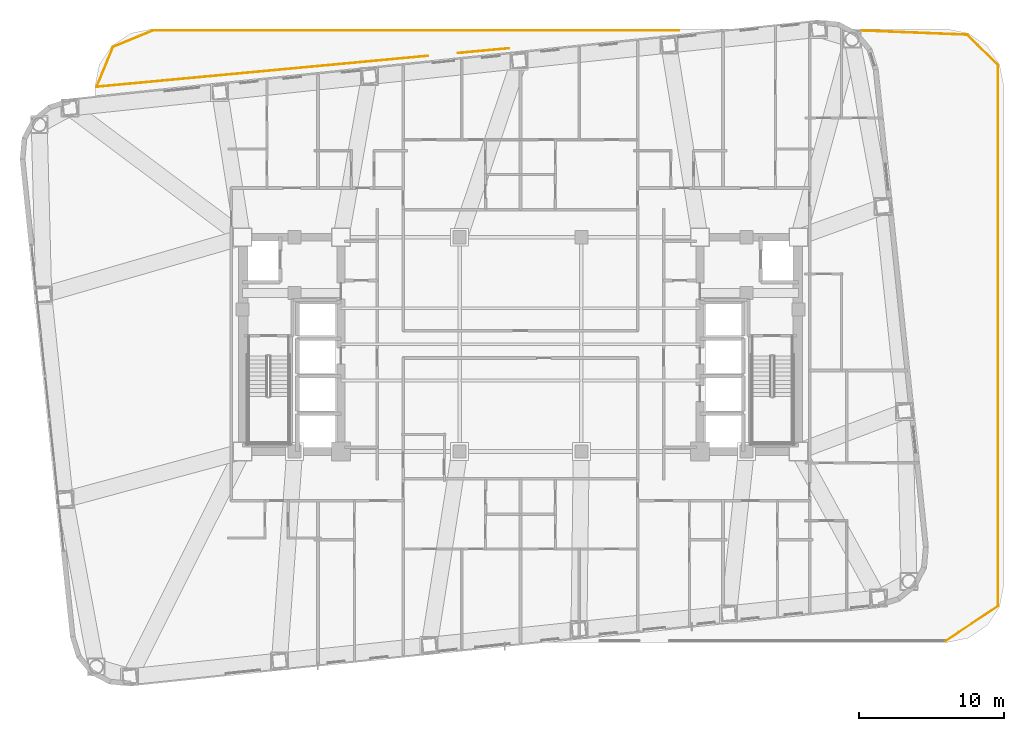
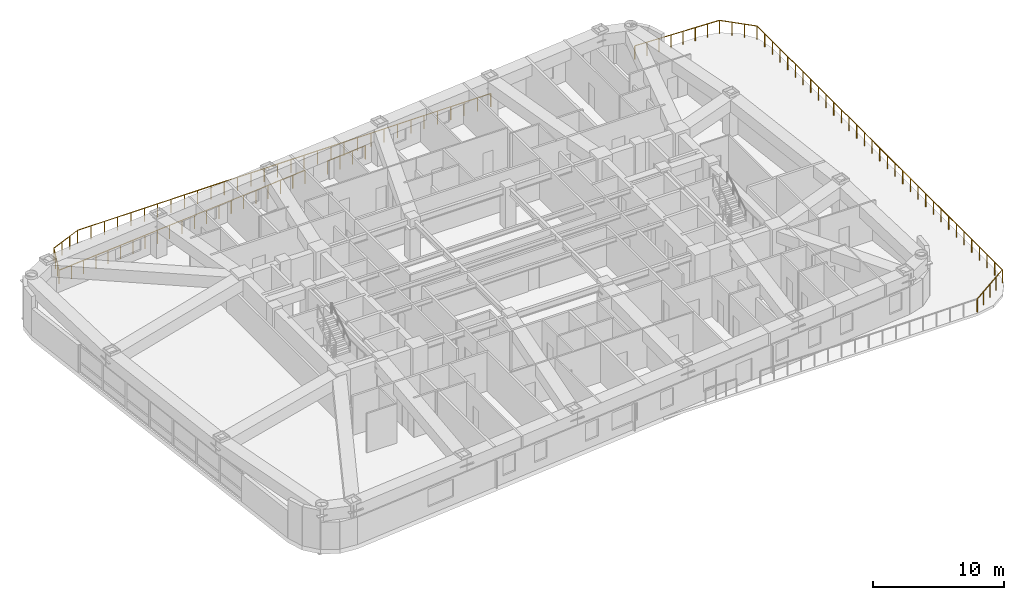
# One storey, part 15 of 15: 9 railings.
"""IFC4 building model written with IfcOpenShell, lengths in metres."""

from ifc_helpers import new_model, si_unit, direction, frame, origin, origin_2d, place, context, subcontext, project, spatial, circle, extrude, material, type_object, element, save


model = new_model("IFC4")

# Units and contexts
model_context = context("Model", 3, precision=1e-05, world=origin(), true_north=direction((0.0, 1.0)))
body_context = subcontext(model_context, "Body", "Model", "MODEL_VIEW")
ifc_project = project(units=[si_unit("LENGTHUNIT", "METRE"), si_unit("AREAUNIT", "SQUARE_METRE"), si_unit("VOLUMEUNIT", "CUBIC_METRE"), si_unit("PLANEANGLEUNIT", "RADIAN"), si_unit("MASSUNIT", "GRAM", prefix="KILO")], contexts=[model_context])

# Site, building, storey
site_placement = place(None, origin())
site = spatial("IfcSite", under=ifc_project, at=site_placement, CompositionType="ELEMENT")
building_placement = place(site_placement, origin())
building = spatial("IfcBuilding", under=site, at=building_placement, Name="Voryun Gate Residences", CompositionType="ELEMENT")
storey_placement = place(building_placement, frame((0.0, 0.0, 140.39990234375)))
storey = spatial("IfcBuildingStorey", under=building, at=storey_placement, Name="L34", CompositionType="ELEMENT", Elevation=140.39990234375)

# Railings
ifc_material = material(Name="Anodised aluminium", Category="aluminium")
railing_type = type_object("IfcRailingType", Name="RAIL_TERRACE_GUARD_1250", PredefinedType="GUARDRAIL", material=ifc_material)
railing_1_placement = place(storey_placement, frame((23.601806640625, 21.67138671875, 0.0)))
element("IfcRailing", 1, at=railing_1_placement, inside=storey, type_object=railing_type, Name="Terrace guard RL-L34-P1L1-01", PredefinedType="GUARDRAIL", context=body_context, shape_type="SweptSolid", body=[
    extrude(circle(Radius=0.02392578125, at=origin_2d()), frame((0.0, 0.0, 1.22607421875), z_axis=(0.9992143876, -0.039630892162, 0.0), x_axis=(0.039630892162, 0.9992143876, 0.0)), (0.0, 0.0, 1.0), 7.28759765625),
    extrude(circle(Radius=0.02099609375, at=origin_2d()), origin(), (0.0, 0.0, 1.0), 1.201904296875),
    extrude(circle(Radius=0.02099609375, at=origin_2d()), frame((1.040283203125, -0.041259765625, 0.0)), (0.0, 0.0, 1.0), 1.201904296875),
    extrude(circle(Radius=0.02099609375, at=origin_2d()), frame((2.08056640625, -0.08251953125, 0.0)), (0.0, 0.0, 1.0), 1.201904296875),
    extrude(circle(Radius=0.02099609375, at=origin_2d()), frame((3.120849609375, -0.123779296875, 0.0)), (0.0, 0.0, 1.0), 1.201904296875),
    extrude(circle(Radius=0.02099609375, at=origin_2d()), frame((4.1611328125, -0.1650390625, 0.0)), (0.0, 0.0, 1.0), 1.201904296875),
    extrude(circle(Radius=0.02099609375, at=origin_2d()), frame((5.201416015625, -0.206298828125, 0.0)), (0.0, 0.0, 1.0), 1.201904296875),
    extrude(circle(Radius=0.02099609375, at=origin_2d()), frame((6.24169921875, -0.24755859375, 0.0)), (0.0, 0.0, 1.0), 1.201904296875),
    extrude(circle(Radius=0.02099609375, at=origin_2d()), frame((7.281982421875, -0.288818359375, 0.0)), (0.0, 0.0, 1.0), 1.201904296875),
])
railing_2_placement = place(storey_placement, frame((30.8837890625, 21.382568359375, 0.0)))
element("IfcRailing", 2, at=railing_2_placement, inside=storey, type_object=railing_type, Name="Terrace guard RL-L34-P1L1-02", PredefinedType="GUARDRAIL", context=body_context, shape_type="SweptSolid", body=[
    extrude(circle(Radius=0.02392578125, at=origin_2d()), frame((0.0, 0.0, 1.22607421875), z_axis=(0.707106781187, -0.707106781187, 0.0), x_axis=(0.707106781187, 0.707106781187, 0.0)), (0.0, 0.0, 1.0), 2.968017578125),
    extrude(circle(Radius=0.02099609375, at=origin_2d()), origin(), (0.0, 0.0, 1.0), 1.201904296875),
    extrude(circle(Radius=0.02099609375, at=origin_2d()), frame((0.699462890625, -0.699462890625, 0.0)), (0.0, 0.0, 1.0), 1.201904296875),
    extrude(circle(Radius=0.02099609375, at=origin_2d()), frame((1.399169921875, -1.399169921875, 0.0)), (0.0, 0.0, 1.0), 1.201904296875),
    extrude(circle(Radius=0.02099609375, at=origin_2d()), frame((2.0986328125, -2.0986328125, 0.0)), (0.0, 0.0, 1.0), 1.201904296875),
])
railing_3_placement = place(storey_placement, frame((32.982421875, 19.283935546875, 0.0)))
element("IfcRailing", 3, at=railing_3_placement, inside=storey, type_object=railing_type, Name="Terrace guard RL-L34-P1L1-03", PredefinedType="GUARDRAIL", context=body_context, shape_type="SweptSolid", body=[
    extrude(circle(Radius=0.02392578125, at=origin_2d()), frame((0.0, 0.0, 1.22607421875), z_axis=(0.0, -1.0, 0.0), x_axis=(1.0, 0.0, 0.0)), (0.0, 0.0, 1.0), 37.367919921875),
    extrude(circle(Radius=0.02099609375, at=origin_2d()), origin(), (0.0, 0.0, 1.0), 1.201904296875),
    extrude(circle(Radius=0.02099609375, at=origin_2d()), frame((0.0, -1.167724609375, 0.0)), (0.0, 0.0, 1.0), 1.201904296875),
    extrude(circle(Radius=0.02099609375, at=origin_2d()), frame((0.0, -2.33544921875, 0.0)), (0.0, 0.0, 1.0), 1.201904296875),
    extrude(circle(Radius=0.02099609375, at=origin_2d()), frame((0.0, -3.503173828125, 0.0)), (0.0, 0.0, 1.0), 1.201904296875),
    extrude(circle(Radius=0.02099609375, at=origin_2d()), frame((0.0, -4.6708984375, 0.0)), (0.0, 0.0, 1.0), 1.201904296875),
    extrude(circle(Radius=0.02099609375, at=origin_2d()), frame((0.0, -5.838623046875, 0.0)), (0.0, 0.0, 1.0), 1.201904296875),
    extrude(circle(Radius=0.02099609375, at=origin_2d()), frame((0.0, -7.006591796875, 0.0)), (0.0, 0.0, 1.0), 1.201904296875),
    extrude(circle(Radius=0.02099609375, at=origin_2d()), frame((0.0, -8.17431640625, 0.0)), (0.0, 0.0, 1.0), 1.201904296875),
    extrude(circle(Radius=0.02099609375, at=origin_2d()), frame((0.0, -9.342041015625, 0.0)), (0.0, 0.0, 1.0), 1.201904296875),
    extrude(circle(Radius=0.02099609375, at=origin_2d()), frame((0.0, -10.509765625, 0.0)), (0.0, 0.0, 1.0), 1.201904296875),
    extrude(circle(Radius=0.02099609375, at=origin_2d()), frame((0.0, -11.677490234375, 0.0)), (0.0, 0.0, 1.0), 1.201904296875),
    extrude(circle(Radius=0.02099609375, at=origin_2d()), frame((0.0, -12.84521484375, 0.0)), (0.0, 0.0, 1.0), 1.201904296875),
    extrude(circle(Radius=0.02099609375, at=origin_2d()), frame((0.0, -14.012939453125, 0.0)), (0.0, 0.0, 1.0), 1.201904296875),
    extrude(circle(Radius=0.02099609375, at=origin_2d()), frame((0.0, -15.1806640625, 0.0)), (0.0, 0.0, 1.0), 1.201904296875),
    extrude(circle(Radius=0.02099609375, at=origin_2d()), frame((0.0, -16.348388671875, 0.0)), (0.0, 0.0, 1.0), 1.201904296875),
    extrude(circle(Radius=0.02099609375, at=origin_2d()), frame((0.0, -17.51611328125, 0.0)), (0.0, 0.0, 1.0), 1.201904296875),
    extrude(circle(Radius=0.02099609375, at=origin_2d()), frame((0.0, -18.68408203125, 0.0)), (0.0, 0.0, 1.0), 1.201904296875),
    extrude(circle(Radius=0.02099609375, at=origin_2d()), frame((0.0, -19.851806640625, 0.0)), (0.0, 0.0, 1.0), 1.201904296875),
    extrude(circle(Radius=0.02099609375, at=origin_2d()), frame((0.0, -21.01953125, 0.0)), (0.0, 0.0, 1.0), 1.201904296875),
    extrude(circle(Radius=0.02099609375, at=origin_2d()), frame((0.0, -22.187255859375, 0.0)), (0.0, 0.0, 1.0), 1.201904296875),
    extrude(circle(Radius=0.02099609375, at=origin_2d()), frame((0.0, -23.35498046875, 0.0)), (0.0, 0.0, 1.0), 1.201904296875),
    extrude(circle(Radius=0.02099609375, at=origin_2d()), frame((0.0, -24.522705078125, 0.0)), (0.0, 0.0, 1.0), 1.201904296875),
    extrude(circle(Radius=0.02099609375, at=origin_2d()), frame((0.0, -25.6904296875, 0.0)), (0.0, 0.0, 1.0), 1.201904296875),
    extrude(circle(Radius=0.02099609375, at=origin_2d()), frame((0.0, -26.858154296875, 0.0)), (0.0, 0.0, 1.0), 1.201904296875),
    extrude(circle(Radius=0.02099609375, at=origin_2d()), frame((0.0, -28.02587890625, 0.0)), (0.0, 0.0, 1.0), 1.201904296875),
    extrude(circle(Radius=0.02099609375, at=origin_2d()), frame((0.0, -29.193603515625, 0.0)), (0.0, 0.0, 1.0), 1.201904296875),
    extrude(circle(Radius=0.02099609375, at=origin_2d()), frame((0.0, -30.361328125, 0.0)), (0.0, 0.0, 1.0), 1.201904296875),
    extrude(circle(Radius=0.02099609375, at=origin_2d()), frame((0.0, -31.529296875, 0.0)), (0.0, 0.0, 1.0), 1.201904296875),
    extrude(circle(Radius=0.02099609375, at=origin_2d()), frame((0.0, -32.697021484375, 0.0)), (0.0, 0.0, 1.0), 1.201904296875),
    extrude(circle(Radius=0.02099609375, at=origin_2d()), frame((0.0, -33.86474609375, 0.0)), (0.0, 0.0, 1.0), 1.201904296875),
    extrude(circle(Radius=0.02099609375, at=origin_2d()), frame((0.0, -35.032470703125, 0.0)), (0.0, 0.0, 1.0), 1.201904296875),
    extrude(circle(Radius=0.02099609375, at=origin_2d()), frame((0.0, -36.2001953125, 0.0)), (0.0, 0.0, 1.0), 1.201904296875),
    extrude(circle(Radius=0.02099609375, at=origin_2d()), frame((0.0, -37.367919921875, 0.0)), (0.0, 0.0, 1.0), 1.201904296875),
])
railing_4_placement = place(storey_placement, frame((32.982421875, -18.083984375, 0.0)))
element("IfcRailing", 4, at=railing_4_placement, inside=storey, type_object=railing_type, Name="Terrace guard RL-L34-P1L1-04", PredefinedType="GUARDRAIL", context=body_context, shape_type="SweptSolid", body=[
    extrude(circle(Radius=0.02392578125, at=origin_2d()), frame((0.0, 0.0, 1.22607421875), z_axis=(-0.832067684285, -0.554674110418, 0.0), x_axis=(0.554674110418, -0.832067684285, 0.0)), (0.0, 0.0, 1.0), 4.319580078125),
    extrude(circle(Radius=0.02099609375, at=origin_2d()), origin(), (0.0, 0.0, 1.0), 1.201904296875),
    extrude(circle(Radius=0.02099609375, at=origin_2d()), frame((-0.8984375, -0.59912109375, 0.0)), (0.0, 0.0, 1.0), 1.201904296875),
    extrude(circle(Radius=0.02099609375, at=origin_2d()), frame((-1.797119140625, -1.197998046875, 0.0)), (0.0, 0.0, 1.0), 1.201904296875),
    extrude(circle(Radius=0.02099609375, at=origin_2d()), frame((-2.69580078125, -1.796875, 0.0)), (0.0, 0.0, 1.0), 1.201904296875),
    extrude(circle(Radius=0.02099609375, at=origin_2d()), frame((-3.59423828125, -2.39599609375, 0.0)), (0.0, 0.0, 1.0), 1.201904296875),
])
railing_5_placement = place(storey_placement, frame((-29.280029296875, 17.7880859375, 0.0)))
element("IfcRailing", 5, at=railing_5_placement, inside=storey, type_object=railing_type, Name="Terrace guard RL-L34-P2L1-01", PredefinedType="GUARDRAIL", context=body_context, shape_type="SweptSolid", body=[
    extrude(circle(Radius=0.02392578125, at=origin_2d()), frame((0.0, 0.0, 1.22607421875), z_axis=(0.381960986461, 0.924178448581, 0.0), x_axis=(-0.924178448581, 0.381960986461, 0.0)), (0.0, 0.0, 1.0), 2.979736328125),
    extrude(circle(Radius=0.02099609375, at=origin_2d()), origin(), (0.0, 0.0, 1.0), 1.201904296875),
    extrude(circle(Radius=0.02099609375, at=origin_2d()), frame((0.37939453125, 0.91796875, 0.0)), (0.0, 0.0, 1.0), 1.201904296875),
    extrude(circle(Radius=0.02099609375, at=origin_2d()), frame((0.7587890625, 1.8359375, 0.0)), (0.0, 0.0, 1.0), 1.201904296875),
    extrude(circle(Radius=0.02099609375, at=origin_2d()), frame((1.13818359375, 2.75390625, 0.0)), (0.0, 0.0, 1.0), 1.201904296875),
])
railing_6_placement = place(storey_placement, frame((-28.141845703125, 20.5419921875, 0.0)))
element("IfcRailing", 6, at=railing_6_placement, inside=storey, type_object=railing_type, Name="Terrace guard RL-L34-P2L1-02", PredefinedType="GUARDRAIL", context=body_context, shape_type="SweptSolid", body=[
    extrude(circle(Radius=0.02392578125, at=origin_2d()), frame((0.0, 0.0, 1.22607421875), z_axis=(0.92419541782, 0.381919925743, 0.0), x_axis=(-0.381919925743, 0.92419541782, 0.0)), (0.0, 0.0, 1.0), 2.9794921875),
    extrude(circle(Radius=0.02099609375, at=origin_2d()), origin(), (0.0, 0.0, 1.0), 1.201904296875),
    extrude(circle(Radius=0.02099609375, at=origin_2d()), frame((0.91796875, 0.37939453125, 0.0)), (0.0, 0.0, 1.0), 1.201904296875),
    extrude(circle(Radius=0.02099609375, at=origin_2d()), frame((1.835693359375, 0.758544921875, 0.0)), (0.0, 0.0, 1.0), 1.201904296875),
    extrude(circle(Radius=0.02099609375, at=origin_2d()), frame((2.753662109375, 1.137939453125, 0.0)), (0.0, 0.0, 1.0), 1.201904296875),
])
railing_7_placement = place(storey_placement, frame((-25.38818359375, 21.679931640625, 0.0)))
element("IfcRailing", 7, at=railing_7_placement, inside=storey, type_object=railing_type, Name="Terrace guard RL-L34-P2L1-03", PredefinedType="GUARDRAIL", context=body_context, shape_type="SweptSolid", body=[
    extrude(circle(Radius=0.02392578125, at=origin_2d()), frame((0.0, 0.0, 1.22607421875), z_axis=(1.0, 0.0, 0.0), x_axis=(0.0, 1.0, 0.0)), (0.0, 0.0, 1.0), 36.327392578125),
    extrude(circle(Radius=0.02099609375, at=origin_2d()), origin(), (0.0, 0.0, 1.0), 1.201904296875),
    extrude(circle(Radius=0.02099609375, at=origin_2d()), frame((1.171875, 0.0, 0.0)), (0.0, 0.0, 1.0), 1.201904296875),
    extrude(circle(Radius=0.02099609375, at=origin_2d()), frame((2.34375, 0.0, 0.0)), (0.0, 0.0, 1.0), 1.201904296875),
    extrude(circle(Radius=0.02099609375, at=origin_2d()), frame((3.515625, 0.0, 0.0)), (0.0, 0.0, 1.0), 1.201904296875),
    extrude(circle(Radius=0.02099609375, at=origin_2d()), frame((4.6875, 0.0, 0.0)), (0.0, 0.0, 1.0), 1.201904296875),
    extrude(circle(Radius=0.02099609375, at=origin_2d()), frame((5.859375, 0.0, 0.0)), (0.0, 0.0, 1.0), 1.201904296875),
    extrude(circle(Radius=0.02099609375, at=origin_2d()), frame((7.031005859375, 0.0, 0.0)), (0.0, 0.0, 1.0), 1.201904296875),
    extrude(circle(Radius=0.02099609375, at=origin_2d()), frame((8.202880859375, 0.0, 0.0)), (0.0, 0.0, 1.0), 1.201904296875),
    extrude(circle(Radius=0.02099609375, at=origin_2d()), frame((9.374755859375, 0.0, 0.0)), (0.0, 0.0, 1.0), 1.201904296875),
    extrude(circle(Radius=0.02099609375, at=origin_2d()), frame((10.546630859375, 0.0, 0.0)), (0.0, 0.0, 1.0), 1.201904296875),
    extrude(circle(Radius=0.02099609375, at=origin_2d()), frame((11.718505859375, 0.0, 0.0)), (0.0, 0.0, 1.0), 1.201904296875),
    extrude(circle(Radius=0.02099609375, at=origin_2d()), frame((12.890380859375, 0.0, 0.0)), (0.0, 0.0, 1.0), 1.201904296875),
    extrude(circle(Radius=0.02099609375, at=origin_2d()), frame((14.062255859375, 0.0, 0.0)), (0.0, 0.0, 1.0), 1.201904296875),
    extrude(circle(Radius=0.02099609375, at=origin_2d()), frame((15.234130859375, 0.0, 0.0)), (0.0, 0.0, 1.0), 1.201904296875),
    extrude(circle(Radius=0.02099609375, at=origin_2d()), frame((16.406005859375, 0.0, 0.0)), (0.0, 0.0, 1.0), 1.201904296875),
    extrude(circle(Radius=0.02099609375, at=origin_2d()), frame((17.577880859375, 0.0, 0.0)), (0.0, 0.0, 1.0), 1.201904296875),
    extrude(circle(Radius=0.02099609375, at=origin_2d()), frame((18.74951171875, 0.0, 0.0)), (0.0, 0.0, 1.0), 1.201904296875),
    extrude(circle(Radius=0.02099609375, at=origin_2d()), frame((19.92138671875, 0.0, 0.0)), (0.0, 0.0, 1.0), 1.201904296875),
    extrude(circle(Radius=0.02099609375, at=origin_2d()), frame((21.09326171875, 0.0, 0.0)), (0.0, 0.0, 1.0), 1.201904296875),
    extrude(circle(Radius=0.02099609375, at=origin_2d()), frame((22.26513671875, 0.0, 0.0)), (0.0, 0.0, 1.0), 1.201904296875),
    extrude(circle(Radius=0.02099609375, at=origin_2d()), frame((23.43701171875, 0.0, 0.0)), (0.0, 0.0, 1.0), 1.201904296875),
    extrude(circle(Radius=0.02099609375, at=origin_2d()), frame((24.60888671875, 0.0, 0.0)), (0.0, 0.0, 1.0), 1.201904296875),
    extrude(circle(Radius=0.02099609375, at=origin_2d()), frame((25.78076171875, 0.0, 0.0)), (0.0, 0.0, 1.0), 1.201904296875),
    extrude(circle(Radius=0.02099609375, at=origin_2d()), frame((26.95263671875, 0.0, 0.0)), (0.0, 0.0, 1.0), 1.201904296875),
    extrude(circle(Radius=0.02099609375, at=origin_2d()), frame((28.12451171875, 0.0, 0.0)), (0.0, 0.0, 1.0), 1.201904296875),
    extrude(circle(Radius=0.02099609375, at=origin_2d()), frame((29.29638671875, 0.0, 0.0)), (0.0, 0.0, 1.0), 1.201904296875),
    extrude(circle(Radius=0.02099609375, at=origin_2d()), frame((30.468017578125, 0.0, 0.0)), (0.0, 0.0, 1.0), 1.201904296875),
    extrude(circle(Radius=0.02099609375, at=origin_2d()), frame((31.639892578125, 0.0, 0.0)), (0.0, 0.0, 1.0), 1.201904296875),
    extrude(circle(Radius=0.02099609375, at=origin_2d()), frame((32.811767578125, 0.0, 0.0)), (0.0, 0.0, 1.0), 1.201904296875),
    extrude(circle(Radius=0.02099609375, at=origin_2d()), frame((33.983642578125, 0.0, 0.0)), (0.0, 0.0, 1.0), 1.201904296875),
    extrude(circle(Radius=0.02099609375, at=origin_2d()), frame((35.155517578125, 0.0, 0.0)), (0.0, 0.0, 1.0), 1.201904296875),
    extrude(circle(Radius=0.02099609375, at=origin_2d()), frame((36.327392578125, 0.0, 0.0)), (0.0, 0.0, 1.0), 1.201904296875),
])
railing_8_placement = place(storey_placement, frame((-0.80859375, 20.4453125, 0.0)))
element("IfcRailing", 8, at=railing_8_placement, inside=storey, type_object=railing_type, Name="Terrace guard RL-L34-P2L2-01", PredefinedType="GUARDRAIL", context=body_context, shape_type="SweptSolid", body=[
    extrude(circle(Radius=0.02392578125, at=origin_2d()), frame((0.0, 0.0, 1.22607421875), z_axis=(-0.995672182725, -0.092934947939, 0.0), x_axis=(0.092934947939, -0.995672182725, 0.0)), (0.0, 0.0, 1.0), 3.522705078125),
    extrude(circle(Radius=0.02099609375, at=origin_2d()), origin(), (0.0, 0.0, 1.0), 1.201904296875),
    extrude(circle(Radius=0.02099609375, at=origin_2d()), frame((-1.169189453125, -0.109130859375, 0.0)), (0.0, 0.0, 1.0), 1.201904296875),
    extrude(circle(Radius=0.02099609375, at=origin_2d()), frame((-2.33837890625, -0.21826171875, 0.0)), (0.0, 0.0, 1.0), 1.201904296875),
    extrude(circle(Radius=0.02099609375, at=origin_2d()), frame((-3.507568359375, -0.327392578125, 0.0)), (0.0, 0.0, 1.0), 1.201904296875),
])
railing_9_placement = place(storey_placement, frame((-6.406982421875, 19.9228515625, 0.0)))
element("IfcRailing", 9, at=railing_9_placement, inside=storey, type_object=railing_type, Name="Terrace guard RL-L34-P2L2-02", PredefinedType="GUARDRAIL", context=body_context, shape_type="SweptSolid", body=[
    extrude(circle(Radius=0.02392578125, at=origin_2d()), frame((0.0, 0.0, 1.22607421875), z_axis=(-0.995672905508, -0.092927203972, 0.0), x_axis=(0.092927203972, -0.995672905508, 0.0)), (0.0, 0.0, 1.0), 22.972412109375),
    extrude(circle(Radius=0.02099609375, at=origin_2d()), origin(), (0.0, 0.0, 1.0), 1.201904296875),
    extrude(circle(Radius=0.02099609375, at=origin_2d()), frame((-1.1435546875, -0.106689453125, 0.0)), (0.0, 0.0, 1.0), 1.201904296875),
    extrude(circle(Radius=0.02099609375, at=origin_2d()), frame((-2.287353515625, -0.21337890625, 0.0)), (0.0, 0.0, 1.0), 1.201904296875),
    extrude(circle(Radius=0.02099609375, at=origin_2d()), frame((-3.430908203125, -0.3203125, 0.0)), (0.0, 0.0, 1.0), 1.201904296875),
    extrude(circle(Radius=0.02099609375, at=origin_2d()), frame((-4.57470703125, -0.427001953125, 0.0)), (0.0, 0.0, 1.0), 1.201904296875),
    extrude(circle(Radius=0.02099609375, at=origin_2d()), frame((-5.71826171875, -0.53369140625, 0.0)), (0.0, 0.0, 1.0), 1.201904296875),
    extrude(circle(Radius=0.02099609375, at=origin_2d()), frame((-6.86181640625, -0.640380859375, 0.0)), (0.0, 0.0, 1.0), 1.201904296875),
    extrude(circle(Radius=0.02099609375, at=origin_2d()), frame((-8.005615234375, -0.7470703125, 0.0)), (0.0, 0.0, 1.0), 1.201904296875),
    extrude(circle(Radius=0.02099609375, at=origin_2d()), frame((-9.149169921875, -0.85400390625, 0.0)), (0.0, 0.0, 1.0), 1.201904296875),
    extrude(circle(Radius=0.02099609375, at=origin_2d()), frame((-10.29296875, -0.960693359375, 0.0)), (0.0, 0.0, 1.0), 1.201904296875),
    extrude(circle(Radius=0.02099609375, at=origin_2d()), frame((-11.4365234375, -1.0673828125, 0.0)), (0.0, 0.0, 1.0), 1.201904296875),
    extrude(circle(Radius=0.02099609375, at=origin_2d()), frame((-12.580078125, -1.174072265625, 0.0)), (0.0, 0.0, 1.0), 1.201904296875),
    extrude(circle(Radius=0.02099609375, at=origin_2d()), frame((-13.723876953125, -1.28076171875, 0.0)), (0.0, 0.0, 1.0), 1.201904296875),
    extrude(circle(Radius=0.02099609375, at=origin_2d()), frame((-14.867431640625, -1.3876953125, 0.0)), (0.0, 0.0, 1.0), 1.201904296875),
    extrude(circle(Radius=0.02099609375, at=origin_2d()), frame((-16.01123046875, -1.494384765625, 0.0)), (0.0, 0.0, 1.0), 1.201904296875),
    extrude(circle(Radius=0.02099609375, at=origin_2d()), frame((-17.15478515625, -1.60107421875, 0.0)), (0.0, 0.0, 1.0), 1.201904296875),
    extrude(circle(Radius=0.02099609375, at=origin_2d()), frame((-18.29833984375, -1.707763671875, 0.0)), (0.0, 0.0, 1.0), 1.201904296875),
    extrude(circle(Radius=0.02099609375, at=origin_2d()), frame((-19.442138671875, -1.814453125, 0.0)), (0.0, 0.0, 1.0), 1.201904296875),
    extrude(circle(Radius=0.02099609375, at=origin_2d()), frame((-20.585693359375, -1.92138671875, 0.0)), (0.0, 0.0, 1.0), 1.201904296875),
    extrude(circle(Radius=0.02099609375, at=origin_2d()), frame((-21.7294921875, -2.028076171875, 0.0)), (0.0, 0.0, 1.0), 1.201904296875),
    extrude(circle(Radius=0.02099609375, at=origin_2d()), frame((-22.873046875, -2.134765625, 0.0)), (0.0, 0.0, 1.0), 1.201904296875),
])

save(model, "model.ifc")
